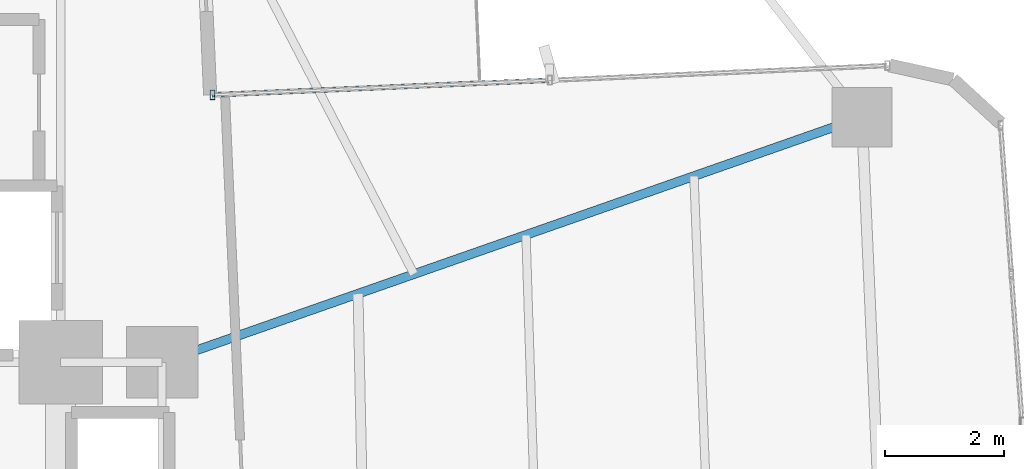
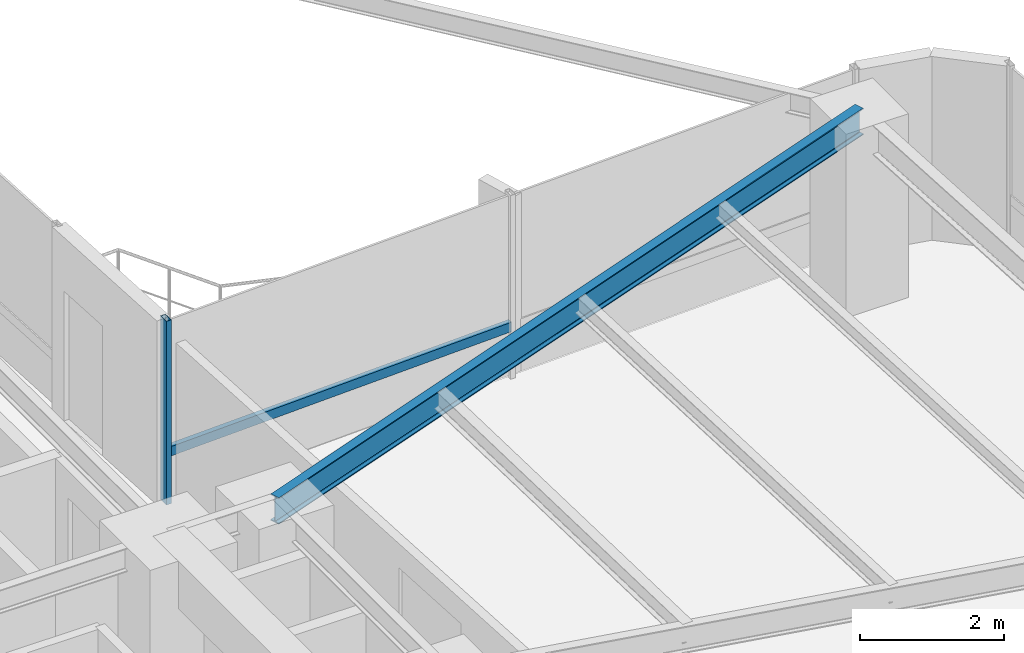
# One storey, part 13 of 26: 2 members, 1 beam, 1 element without a shape of its own.
"""IFC4 building model written with IfcOpenShell, lengths in metres."""

from ifc_helpers import new_model, si_unit, direction, frame, origin, origin_2d, place, context, subcontext, project, spatial, hollow_rectangle, i_section, extrude, source, transform, mapped, material, material_profile, profile_set, type_object, element, aggregate, save


model = new_model("IFC4")

# Units and contexts
model_context = context("Model", 3, precision=1e-05, world=origin(), true_north=direction((0.0, 1.0)))
body_context = subcontext(model_context, "Body", "Model", "MODEL_VIEW")
ifc_project = project(units=[si_unit("LENGTHUNIT", "METRE"), si_unit("AREAUNIT", "SQUARE_METRE"), si_unit("VOLUMEUNIT", "CUBIC_METRE"), si_unit("PLANEANGLEUNIT", "RADIAN"), si_unit("MASSUNIT", "GRAM", prefix="KILO")], contexts=[model_context])

# Site, building, storey
site_placement = place(None, origin())
site = spatial("IfcSite", under=ifc_project, at=site_placement, CompositionType="ELEMENT")
building_placement = place(site_placement, origin())
building = spatial("IfcBuilding", under=site, at=building_placement, Name="Sahyath Konkavel Grand Hotel", CompositionType="ELEMENT")
storey_placement = place(building_placement, frame((0.0, 0.0, 96.89990234375)))
storey = spatial("IfcBuildingStorey", under=building, at=storey_placement, Name="L26", CompositionType="ELEMENT", Elevation=96.89990234375)

# Beam
ifc_material_1 = material(Name="Steel E350", Category="steel")
ifc_material_profile_1 = material_profile(ifc_material_1, i_section(OverallWidth=0.14990234375, OverallDepth=0.449951171875, WebThickness=0.009521484375, FlangeThickness=0.017333984375, FilletRadius=0.014892578125, at=origin_2d()), Name="ISMB 450")
ifc_profile_set_1 = profile_set([ifc_material_profile_1], Name="Steel E350")
beam_type = type_object("IfcBeamType", Name="BM-ISMB450", PredefinedType="BEAM", material=ifc_profile_set_1)
shared_shape_1 = source(origin(), body_context, "Body", "SweptSolid", [
    extrude(i_section(OverallWidth=0.14990234375, OverallDepth=0.449951171875, WebThickness=0.009521484375, FlangeThickness=0.017333984375, FilletRadius=0.014892578125, at=origin_2d()), origin(), (0.0, 0.0, 1.0), 12.430908203125),
])
beam_placement = place(storey_placement, frame((5.5, 2.39990234375, 2.885009765625), z_axis=(0.943819157235, 0.330462400941, 0.0), x_axis=(-0.330462400941, 0.943819157235, 0.0)))
element("IfcBeam", 1, at=beam_placement, inside=storey, type_object=beam_type, Name="L26 Cruciform Radial Girder EB", PredefinedType="BEAM", context=body_context, shape_type="MappedRepresentation", body=[
    mapped(shared_shape_1, transform((0.0, 0.0, 0.0), scale=1.0)),
])

# Curtain wall, members
ifc_material_2 = material(Name="Anodised Bronze Aluminium & Low-E Glazing", Category="aluminium")
curtain_wall_type = type_object("IfcCurtainWallType", Name="CW-ZONE2", PredefinedType="NOTDEFINED", material=ifc_material_2)
curtain_wall_placement = place(storey_placement, origin())
curtain_wall = element("IfcCurtainWall", 2, at=curtain_wall_placement, inside=storey, type_object=curtain_wall_type, Name="L26 Unitised Curtain Wall F7", PredefinedType="NOTDEFINED")
ifc_material_3 = material(Name="Anodised Bronze Aluminium", Category="aluminium")
ifc_material_profile_2 = material_profile(ifc_material_3, hollow_rectangle(XDim=0.080078125, YDim=0.159912109375, WallThickness=0.006103515625, at=origin_2d()), Name="RHS 160x80x6")
ifc_profile_set_2 = profile_set([ifc_material_profile_2], Name="Anodised Bronze Aluminium")
member_type_1 = type_object("IfcMemberType", Name="CW-MUL-160", PredefinedType="MULLION", material=ifc_profile_set_2)
shared_shape_2 = source(origin(), body_context, "Body", "SweptSolid", [
    extrude(hollow_rectangle(XDim=0.080078125, YDim=0.159912109375, WallThickness=0.006103515625, at=origin_2d()), origin(), (0.0, 0.0, 1.0), 3.110107421875),
])
member_1_placement = place(storey_placement, frame((6.345703125, 6.88330078125, 0.0), z_axis=(0.0, 0.0, 1.0), x_axis=(1.0, 0.0, 0.0)))
member_1 = element("IfcMember", 3, at=member_1_placement, type_object=member_type_1, Name="L26 Curtain Wall Mullion F7-2", PredefinedType="MULLION", context=body_context, shape_type="MappedRepresentation", body=[
    mapped(shared_shape_2, transform((0.0, 0.0, 0.0), scale=1.0)),
])
ifc_material_profile_3 = material_profile(ifc_material_3, hollow_rectangle(XDim=0.080078125, YDim=0.159912109375, WallThickness=0.006103515625, at=origin_2d()), Name="RHS 160x80x6")
ifc_profile_set_3 = profile_set([ifc_material_profile_3], Name="Anodised Bronze Aluminium")
member_type_2 = type_object("IfcMemberType", Name="CW-TRN-160", PredefinedType="USERDEFINED", material=ifc_profile_set_3)
shared_shape_3 = source(origin(), body_context, "Body", "SweptSolid", [
    extrude(hollow_rectangle(XDim=0.080078125, YDim=0.159912109375, WallThickness=0.006103515625, at=origin_2d()), origin(), (0.0, 0.0, 1.0), 5.66015625),
])
member_2_placement = place(storey_placement, frame((12.00048828125, 7.13037109375, 0.85009765625), z_axis=(-0.9990468579, -0.043650609628, 0.0), x_axis=(0.043650609628, -0.9990468579, 0.0)))
member_2 = element("IfcMember", 4, at=member_2_placement, type_object=member_type_2, Name="L26 Curtain Wall Transom F7-1-spandrel", ObjectType="TRANSOM", PredefinedType="USERDEFINED", context=body_context, shape_type="MappedRepresentation", body=[
    mapped(shared_shape_3, transform((0.0, 0.0, 0.0), scale=1.0)),
])
aggregate(curtain_wall, [member_1, member_2])

save(model, "model.ifc")
